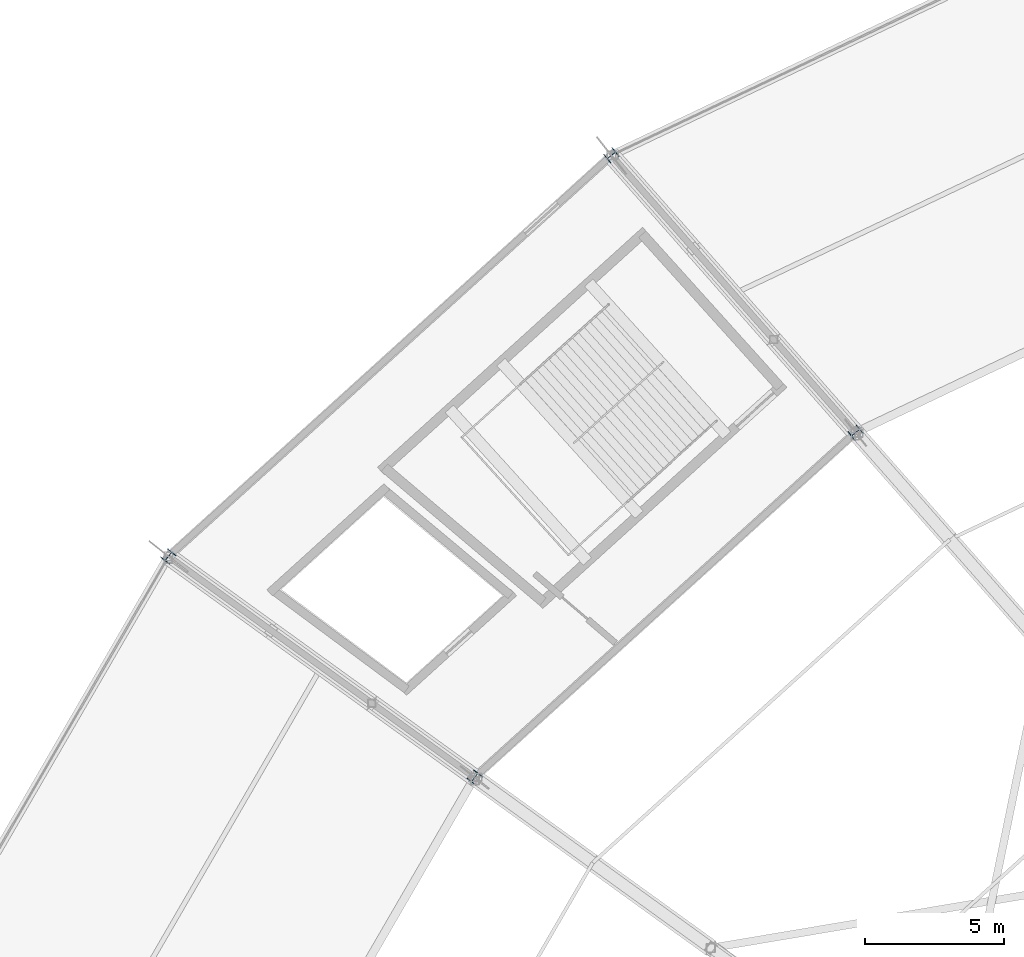
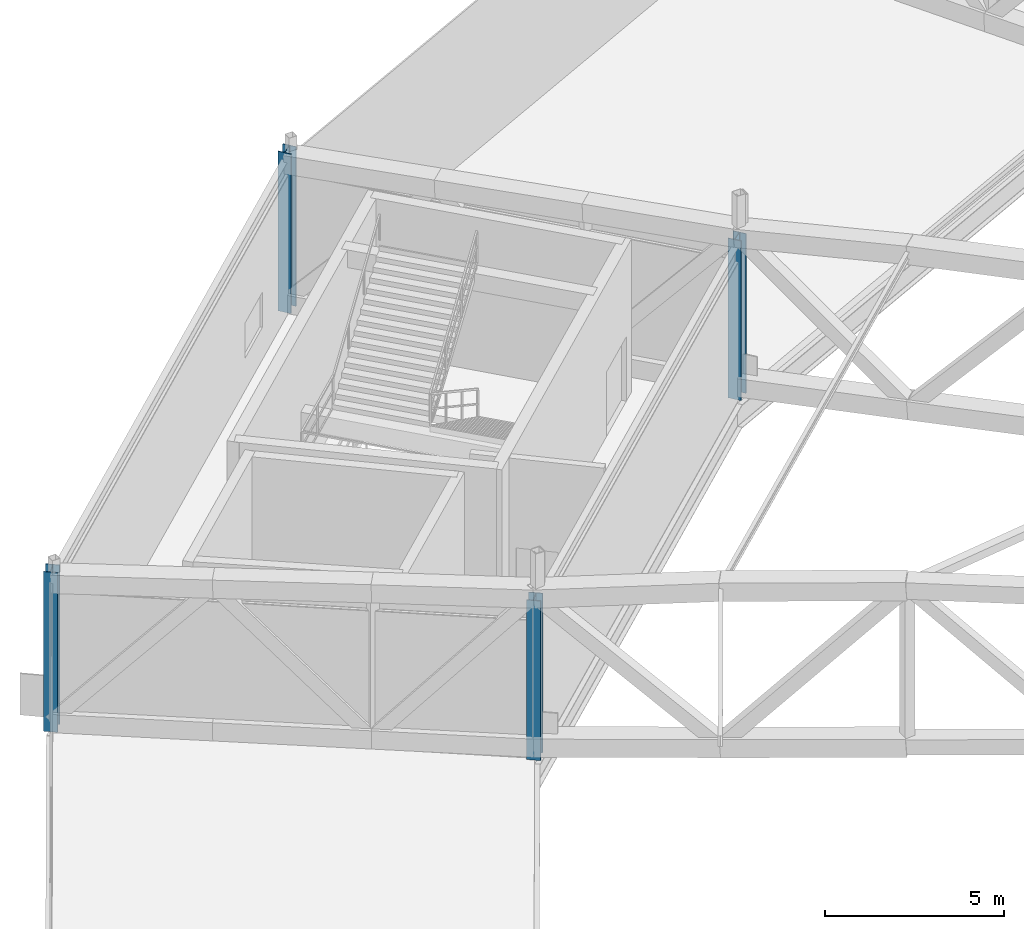
# One storey, part 3 of 162: 4 columns.
"""IFC4 building model written with IfcOpenShell, lengths in metres."""

from ifc_helpers import new_model, si_unit, direction, frame, origin, origin_2d, place, context, subcontext, project, spatial, i_section, extrude, material, material_profile, profile_set, type_object, element, save


model = new_model("IFC4")

# Units and contexts
model_context = context("Model", 3, precision=1e-05, world=origin(), true_north=direction((0.0, 1.0)))
body_context = subcontext(model_context, "Body", "Model", "MODEL_VIEW")
ifc_project = project(units=[si_unit("LENGTHUNIT", "METRE"), si_unit("AREAUNIT", "SQUARE_METRE"), si_unit("VOLUMEUNIT", "CUBIC_METRE"), si_unit("PLANEANGLEUNIT", "RADIAN"), si_unit("MASSUNIT", "GRAM", prefix="KILO")], contexts=[model_context])

# Site, building, storey
site_placement = place(None, origin())
site = spatial("IfcSite", under=ifc_project, at=site_placement, CompositionType="ELEMENT")
building_placement = place(site_placement, origin())
building = spatial("IfcBuilding", under=site, at=building_placement, Name="Kazemori Nagisa Stadium", CompositionType="ELEMENT")
storey_placement = place(building_placement, frame((0.0, 0.0, 36.719970703125)))
storey = spatial("IfcBuildingStorey", under=building, at=storey_placement, Name="RF", CompositionType="ELEMENT", Elevation=36.719970703125)

# Columns
ifc_material = material(Name="Steel SN490B", Category="steel")
ifc_material_profile = material_profile(ifc_material, i_section(OverallWidth=0.39990234375, OverallDepth=0.39990234375, WebThickness=0.012939453125, FlangeThickness=0.02099609375, FilletRadius=0.012939453125, at=origin_2d()), Name="H-400x400x13x21")
ifc_profile_set = profile_set([ifc_material_profile], Name="Steel SN490B")
column_type = type_object("IfcColumnType", Name="Column_C-H400", PredefinedType="COLUMN", material=ifc_profile_set)
for number, where, z_axis, x_axis, name in (
    (1, (69.165771484375, 163.11083984375, 0.0), (0.0, 0.0, 1.0), (-0.623489801853, 0.781831482473, 0.0), "Column C-H400 RF R2-11"),
    (2, (55.493896484375, 150.734130859375, 0.0), (0.0, 0.0, 1.0), (-0.781831482473, 0.623489801853, 0.0), "Column C-H400 RF R2-12"),
    (3, (60.402099609375, 173.05908203125, 0.0), (0.0, 0.0, 1.0), (-0.623489801853, 0.781831482473, 0.0), "Column C-H400 RF R3-11"),
    (4, (44.504638671875, 158.667724609375, 0.0), (0.0, 0.0, 1.0), (-0.781831482473, 0.623489801853, 0.0), "Column C-H400 RF R3-12"),
):
    element("IfcColumn", number, at=place(storey_placement, frame(where, z_axis=z_axis, x_axis=x_axis)), inside=storey, type_object=column_type, Name=name, PredefinedType="COLUMN", context=body_context, shape_type="SweptSolid", body=[
        extrude(i_section(OverallWidth=0.39990234375, OverallDepth=0.39990234375, WebThickness=0.012939453125, FlangeThickness=0.02099609375, FilletRadius=0.012939453125, at=origin_2d()), origin(), (0.0, 0.0, 1.0), 5.43994140625),
    ])

save(model, "model.ifc")
